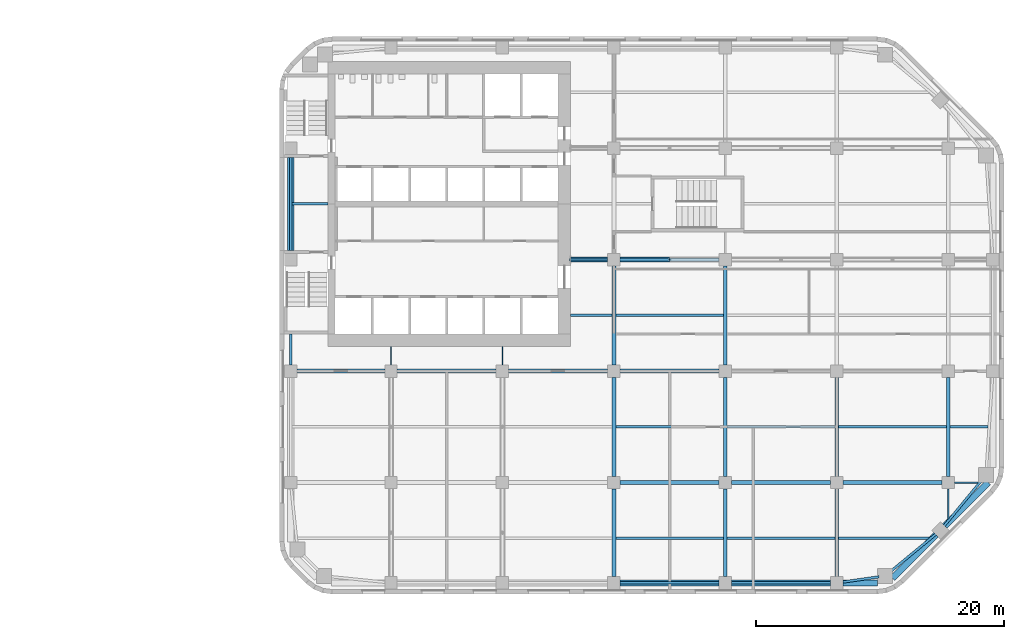
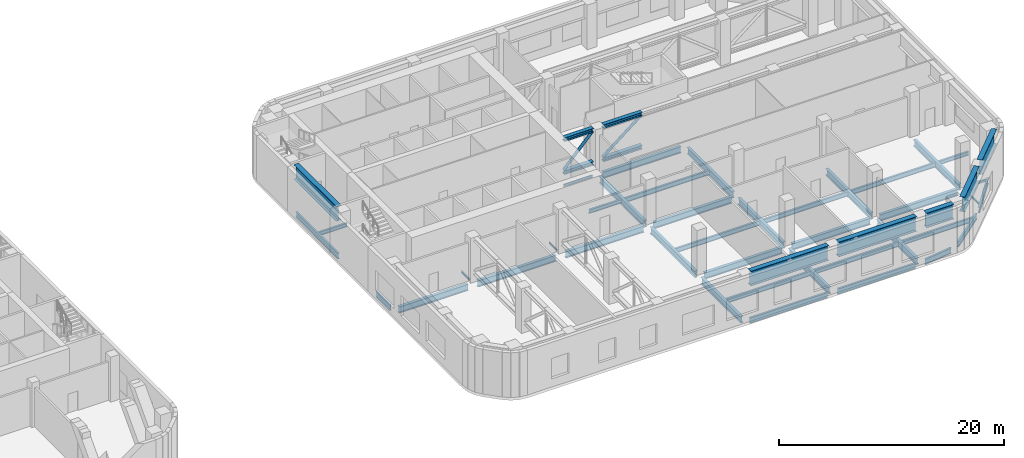
# One storey, part 4 of 23: 45 beams, 6 members.
"""IFC4 building model written with IfcOpenShell, lengths in metres."""

from ifc_helpers import new_model, si_unit, direction, frame, origin, origin_2d, place, context, subcontext, project, spatial, hollow_circle, i_section, extrude, material, material_profile, profile_set, type_object, element, save


model = new_model("IFC4")

# Units and contexts
model_context = context("Model", 3, precision=1e-05, world=origin(), true_north=direction((0.0, 1.0)))
body_context = subcontext(model_context, "Body", "Model", "MODEL_VIEW")
ifc_project = project(units=[si_unit("LENGTHUNIT", "METRE"), si_unit("AREAUNIT", "SQUARE_METRE"), si_unit("VOLUMEUNIT", "CUBIC_METRE"), si_unit("PLANEANGLEUNIT", "RADIAN"), si_unit("MASSUNIT", "GRAM", prefix="KILO")], contexts=[model_context])

# Site, building, storey
site_placement = place(None, origin())
site = spatial("IfcSite", under=ifc_project, at=site_placement, CompositionType="ELEMENT")
building_placement = place(site_placement, origin())
building = spatial("IfcBuilding", under=site, at=building_placement, Name="Cinnabar Reach Civic Tower", CompositionType="ELEMENT")
storey_placement = place(building_placement, frame((0.0, 0.0, 46.0)))
storey = spatial("IfcBuildingStorey", under=building, at=storey_placement, Name="L10", CompositionType="ELEMENT", Elevation=46.0)

# Beams
ifc_material = material(Name="Steel Q355B", Category="steel")
ifc_material_profile_1 = material_profile(ifc_material, i_section(OverallWidth=0.5, OverallDepth=1.6, WebThickness=0.025, FlangeThickness=0.04, at=origin_2d()), Name="BH1600x500x25x40")
ifc_profile_set_1 = profile_set([ifc_material_profile_1], Name="Steel Q355B")
beam_type_1 = type_object("IfcBeamType", Name="BELT BH1600x500x25x40 R 240", PredefinedType="BEAM", material=ifc_profile_set_1)
beam_1_placement = place(storey_placement, frame((0.9, 27.75, 4.05), z_axis=(0.0, 1.0, 0.0), x_axis=(-1.0, 0.0, 0.0)))
element("IfcBeam", 1, at=beam_1_placement, inside=storey, type_object=beam_type_1, Name="BELT girder T1-L10-BG", PredefinedType="BEAM", context=body_context, shape_type="SweptSolid", body=[
    extrude(i_section(OverallWidth=0.5, OverallDepth=1.6, WebThickness=0.025, FlangeThickness=0.04, at=origin_2d()), origin(), (0.0, 0.0, 1.0), 7.5),
])
for number, where, z_axis, x_axis, name in (
    (2, (57.2271, 8.9999, 4.05), (-0.707106781187, -0.707106781187, 0.0), (0.707106781187, -0.707106781187, 0.0), "BELT girder T1-L10-BG"),
    (3, (53.0086, 4.7814, 4.05), (-0.707106781187, -0.707106781187, 0.0), (0.707106781187, -0.707106781187, 0.0), "BELT girder T1-L10-BG"),
):
    element("IfcBeam", number, at=place(storey_placement, frame(where, z_axis=z_axis, x_axis=x_axis)), inside=storey, type_object=beam_type_1, Name=name, PredefinedType="BEAM", context=body_context, shape_type="SweptSolid", body=[
        extrude(i_section(OverallWidth=0.5, OverallDepth=1.6, WebThickness=0.025, FlangeThickness=0.04, at=origin_2d()), origin(), (0.0, 0.0, 1.0), 4.9618),
    ])
beam_2_placement = place(storey_placement, frame((48.2961, 0.9, 4.05), z_axis=(-1.0, 0.0, 0.0), x_axis=(0.0, -1.0, 0.0)))
element("IfcBeam", 4, at=beam_2_placement, inside=storey, type_object=beam_type_1, Name="BELT girder T1-L10-BG", PredefinedType="BEAM", context=body_context, shape_type="SweptSolid", body=[
    extrude(i_section(OverallWidth=0.5, OverallDepth=1.6, WebThickness=0.025, FlangeThickness=0.04, at=origin_2d()), origin(), (0.0, 0.0, 1.0), 2.7941),
])
for number, where, z_axis, x_axis, name in (
    (5, (44.498, 0.9, 4.05), (-1.0, 0.0, 0.0), (0.0, -1.0, 0.0), "BELT girder T1-L10-BG"),
    (6, (35.498, 0.9, 4.05), (-1.0, 0.0, 0.0), (0.0, -1.0, 0.0), "BELT girder T1-L10-BG"),
):
    element("IfcBeam", number, at=place(storey_placement, frame(where, z_axis=z_axis, x_axis=x_axis)), inside=storey, type_object=beam_type_1, Name=name, PredefinedType="BEAM", context=body_context, shape_type="SweptSolid", body=[
        extrude(i_section(OverallWidth=0.5, OverallDepth=1.6, WebThickness=0.025, FlangeThickness=0.04, at=origin_2d()), origin(), (0.0, 0.0, 1.0), 7.996),
    ])

# Members
ifc_material_profile_2 = material_profile(ifc_material, hollow_circle(Radius=0.1365, WallThickness=0.01, at=origin_2d()), Name="CHS273x10")
ifc_profile_set_2 = profile_set([ifc_material_profile_2], Name="Steel Q355B")
member_type_1 = type_object("IfcMemberType", Name="CHS273x10 brace R 240", PredefinedType="BRACE", material=ifc_profile_set_2)
member_1_placement = place(storey_placement, frame((23.502, 27.0, 1.264), z_axis=(0.686650451927, 0.0, 0.726987728142), x_axis=(0.0, 1.0, 0.0)))
element("IfcMember", 7, at=member_1_placement, inside=storey, type_object=member_type_1, Name="Outrigger truss diagonal T1-L10-TR-E27", PredefinedType="BRACE", context=body_context, shape_type="SweptSolid", body=[
    extrude(hollow_circle(Radius=0.1365, WallThickness=0.01, at=origin_2d()), origin(), (0.0, 0.0, 1.0), 4.3632),
])
member_2_placement = place(storey_placement, frame((27.502, 27.0, 1.264), z_axis=(0.783385820747, 0.0, 0.621535723714), x_axis=(0.0, 1.0, 0.0)))
element("IfcMember", 8, at=member_2_placement, inside=storey, type_object=member_type_1, Name="Outrigger truss diagonal T1-L10-TR-E27", PredefinedType="BRACE", context=body_context, shape_type="SweptSolid", body=[
    extrude(hollow_circle(Radius=0.1365, WallThickness=0.01, at=origin_2d()), origin(), (0.0, 0.0, 1.0), 5.1035),
])

# Beams
ifc_material_profile_3 = material_profile(ifc_material, i_section(OverallWidth=0.099, OverallDepth=0.198, WebThickness=0.0045, FlangeThickness=0.007, FilletRadius=0.013, at=origin_2d()), Name="HN200x100x5.5x8")
ifc_profile_set_3 = profile_set([ifc_material_profile_3], Name="Steel Q355B")
beam_type_2 = type_object("IfcBeamType", Name="HN200x100x5.5x8 beam R 180", PredefinedType="BEAM", material=ifc_profile_set_3)
for number, where, z_axis, x_axis, name in (
    (9, (9.0, 18.502, -0.399), (0.0, 1.0, 0.0), (-1.0, 0.0, 0.0), "Girder T1 L10 3"),
    (10, (18.0, 18.502, -0.399), (0.0, 1.0, 0.0), (-1.0, 0.0, 0.0), "Girder T1 L10 6"),
):
    element("IfcBeam", number, at=place(storey_placement, frame(where, z_axis=z_axis, x_axis=x_axis)), inside=storey, type_object=beam_type_2, Name=name, PredefinedType="BEAM", context=body_context, shape_type="SweptSolid", body=[
        extrude(i_section(OverallWidth=0.099, OverallDepth=0.198, WebThickness=0.0045, FlangeThickness=0.007, FilletRadius=0.013, at=origin_2d()), origin(), (0.0, 0.0, 1.0), 1.496),
    ])
beam_3_placement = place(storey_placement, frame((54.0, 6.0682, -0.399), z_axis=(0.0, 1.0, 0.0), x_axis=(-1.0, 0.0, 0.0)))
element("IfcBeam", 11, at=beam_3_placement, inside=storey, type_object=beam_type_2, Name="Girder T1 L10 23", PredefinedType="BEAM", context=body_context, shape_type="SweptSolid", body=[
    extrude(i_section(OverallWidth=0.099, OverallDepth=0.198, WebThickness=0.0045, FlangeThickness=0.007, FilletRadius=0.013, at=origin_2d()), origin(), (0.0, 0.0, 1.0), 2.4298),
])
ifc_material_profile_4 = material_profile(ifc_material, i_section(OverallWidth=0.124, OverallDepth=0.248, WebThickness=0.005, FlangeThickness=0.008, FilletRadius=0.013, at=origin_2d()), Name="HN250x125x6x9")
ifc_profile_set_4 = profile_set([ifc_material_profile_4], Name="Steel Q355B")
beam_type_3 = type_object("IfcBeamType", Name="HN250x125x6x9 beam R 180", PredefinedType="BEAM", material=ifc_profile_set_4)
beam_4_placement = place(storey_placement, frame((54.502, 9.0, -0.424), z_axis=(1.0, 0.0, 0.0), x_axis=(0.0, 1.0, 0.0)))
element("IfcBeam", 12, at=beam_4_placement, inside=storey, type_object=beam_type_3, Name="Girder T1 L10 7", PredefinedType="BEAM", context=body_context, shape_type="SweptSolid", body=[
    extrude(i_section(OverallWidth=0.124, OverallDepth=0.248, WebThickness=0.005, FlangeThickness=0.008, FilletRadius=0.013, at=origin_2d()), origin(), (0.0, 0.0, 1.0), 1.9162),
])
beam_5_placement = place(storey_placement, frame((23.502, 27.0, -0.424), z_axis=(1.0, 0.0, 0.0), x_axis=(0.0, 1.0, 0.0)))
element("IfcBeam", 13, at=beam_5_placement, inside=storey, type_object=beam_type_3, Name="Girder T1 L10 15", PredefinedType="BEAM", context=body_context, shape_type="SweptSolid", body=[
    extrude(i_section(OverallWidth=0.124, OverallDepth=0.248, WebThickness=0.005, FlangeThickness=0.008, FilletRadius=0.013, at=origin_2d()), origin(), (0.0, 0.0, 1.0), 2.996),
])
ifc_material_profile_5 = material_profile(ifc_material, i_section(OverallWidth=0.2, OverallDepth=0.4, WebThickness=0.008, FlangeThickness=0.013, FilletRadius=0.016, at=origin_2d()), Name="HN400x200x8x13")
ifc_profile_set_5 = profile_set([ifc_material_profile_5], Name="Steel Q355B")
beam_type_4 = type_object("IfcBeamType", Name="HN400x200x8x13 beam R 180", PredefinedType="BEAM", material=ifc_profile_set_5)
beam_6_placement = place(storey_placement, frame((54.152, 13.5, -0.5), z_axis=(1.0, 0.0, 0.0), x_axis=(0.0, 1.0, 0.0)))
element("IfcBeam", 14, at=beam_6_placement, inside=storey, type_object=beam_type_4, Name="Secondary beam T1 L10 13", PredefinedType="BEAM", context=body_context, shape_type="SweptSolid", body=[
    extrude(i_section(OverallWidth=0.2, OverallDepth=0.4, WebThickness=0.008, FlangeThickness=0.013, FilletRadius=0.016, at=origin_2d()), origin(), (0.0, 0.0, 1.0), 3.0494),
])
beam_7_placement = place(storey_placement, frame((23.502, 22.5, -0.5), z_axis=(1.0, 0.0, 0.0), x_axis=(0.0, 1.0, 0.0)))
element("IfcBeam", 15, at=beam_7_placement, inside=storey, type_object=beam_type_4, Name="Secondary beam T1 L10 14", PredefinedType="BEAM", context=body_context, shape_type="SweptSolid", body=[
    extrude(i_section(OverallWidth=0.2, OverallDepth=0.4, WebThickness=0.008, FlangeThickness=0.013, FilletRadius=0.016, at=origin_2d()), origin(), (0.0, 0.0, 1.0), 3.346),
])
beam_8_placement = place(storey_placement, frame((1.002, 31.5, -0.5), z_axis=(1.0, 0.0, 0.0), x_axis=(0.0, 1.0, 0.0)))
element("IfcBeam", 16, at=beam_8_placement, inside=storey, type_object=beam_type_4, Name="Secondary beam T1 L10 19", PredefinedType="BEAM", context=body_context, shape_type="SweptSolid", body=[
    extrude(i_section(OverallWidth=0.2, OverallDepth=0.4, WebThickness=0.008, FlangeThickness=0.013, FilletRadius=0.016, at=origin_2d()), origin(), (0.0, 0.0, 1.0), 2.896),
])
ifc_material_profile_6 = material_profile(ifc_material, i_section(OverallWidth=0.2, OverallDepth=0.5, WebThickness=0.01, FlangeThickness=0.016, FilletRadius=0.016, at=origin_2d()), Name="HN500x200x10x16")
ifc_profile_set_6 = profile_set([ifc_material_profile_6], Name="Steel Q355B")
beam_type_5 = type_object("IfcBeamType", Name="HN500x200x10x16 beam R 180", PredefinedType="BEAM", material=ifc_profile_set_6)
for number, where, z_axis, x_axis, name in (
    (17, (27.152, 4.5, -0.55), (1.0, 0.0, 0.0), (0.0, 1.0, 0.0), "Secondary beam T1 L10 4"),
    (18, (36.152, 4.5, -0.55), (1.0, 0.0, 0.0), (0.0, 1.0, 0.0), "Secondary beam T1 L10 5"),
):
    element("IfcBeam", number, at=place(storey_placement, frame(where, z_axis=z_axis, x_axis=x_axis)), inside=storey, type_object=beam_type_5, Name=name, PredefinedType="BEAM", context=body_context, shape_type="SweptSolid", body=[
        extrude(i_section(OverallWidth=0.2, OverallDepth=0.5, WebThickness=0.01, FlangeThickness=0.016, FilletRadius=0.016, at=origin_2d()), origin(), (0.0, 0.0, 1.0), 8.696),
    ])
beam_9_placement = place(storey_placement, frame((45.152, 4.5, -0.55), z_axis=(1.0, 0.0, 0.0), x_axis=(0.0, 1.0, 0.0)))
element("IfcBeam", 19, at=beam_9_placement, inside=storey, type_object=beam_type_5, Name="Secondary beam T1 L10 6", PredefinedType="BEAM", context=body_context, shape_type="SweptSolid", body=[
    extrude(i_section(OverallWidth=0.2, OverallDepth=0.5, WebThickness=0.01, FlangeThickness=0.016, FilletRadius=0.016, at=origin_2d()), origin(), (0.0, 0.0, 1.0), 7.2798),
])
for number, where, z_axis, x_axis, name in (
    (20, (27.152, 13.5, -0.55), (1.0, 0.0, 0.0), (0.0, 1.0, 0.0), "Secondary beam T1 L10 10"),
    (21, (36.152, 13.5, -0.55), (1.0, 0.0, 0.0), (0.0, 1.0, 0.0), "Secondary beam T1 L10 11"),
    (22, (45.152, 13.5, -0.55), (1.0, 0.0, 0.0), (0.0, 1.0, 0.0), "Secondary beam T1 L10 12"),
    (23, (27.152, 22.5, -0.55), (1.0, 0.0, 0.0), (0.0, 1.0, 0.0), "Secondary beam T1 L10 15"),
):
    element("IfcBeam", number, at=place(storey_placement, frame(where, z_axis=z_axis, x_axis=x_axis)), inside=storey, type_object=beam_type_5, Name=name, PredefinedType="BEAM", context=body_context, shape_type="SweptSolid", body=[
        extrude(i_section(OverallWidth=0.2, OverallDepth=0.5, WebThickness=0.01, FlangeThickness=0.016, FilletRadius=0.016, at=origin_2d()), origin(), (0.0, 0.0, 1.0), 8.696),
    ])
ifc_material_profile_7 = material_profile(ifc_material, i_section(OverallWidth=0.2, OverallDepth=0.6, WebThickness=0.011, FlangeThickness=0.017, FilletRadius=0.016, at=origin_2d()), Name="HN600x200x11x17")
ifc_profile_set_7 = profile_set([ifc_material_profile_7], Name="Steel Q355B")
beam_type_6 = type_object("IfcBeamType", Name="HN600x200x11x17 beam R 180", PredefinedType="BEAM", material=ifc_profile_set_7)
for number, where, z_axis, x_axis, name in (
    (24, (27.502, 0.9, -0.6), (1.0, 0.0, 0.0), (0.0, 1.0, 0.0), "Edge beam T1 L10 4"),
    (25, (36.502, 0.9, -0.6), (1.0, 0.0, 0.0), (0.0, 1.0, 0.0), "Edge beam T1 L10 5"),
):
    element("IfcBeam", number, at=place(storey_placement, frame(where, z_axis=z_axis, x_axis=x_axis)), inside=storey, type_object=beam_type_6, Name=name, PredefinedType="BEAM", context=body_context, shape_type="SweptSolid", body=[
        extrude(i_section(OverallWidth=0.2, OverallDepth=0.6, WebThickness=0.011, FlangeThickness=0.017, FilletRadius=0.016, at=origin_2d()), origin(), (0.0, 0.0, 1.0), 7.996),
    ])
beam_10_placement = place(storey_placement, frame((45.502, 0.9712, -0.6), z_axis=(0.990082238922, 0.140489003738, 0.0), x_axis=(-0.140489003738, 0.990082238922, 0.0)))
element("IfcBeam", 26, at=beam_10_placement, inside=storey, type_object=beam_type_6, Name="Edge beam T1 L10 6", PredefinedType="BEAM", context=body_context, shape_type="SweptSolid", body=[
    extrude(i_section(OverallWidth=0.2, OverallDepth=0.6, WebThickness=0.011, FlangeThickness=0.017, FilletRadius=0.016, at=origin_2d()), origin(), (0.0, 0.0, 1.0), 2.9433),
])
for number, where, z_axis, x_axis, name in (
    (27, (49.3801, 1.8507, -0.6), (0.77143827905, 0.6363041581, 0.0), (-0.6363041581, 0.77143827905, 0.0), "Edge beam T1 L10 7"),
    (28, (53.6461, 5.4789, -0.6), (0.6363041581, 0.77143827905, 0.0), (-0.77143827905, 0.6363041581, 0.0), "Edge beam T1 L10 8"),
):
    element("IfcBeam", number, at=place(storey_placement, frame(where, z_axis=z_axis, x_axis=x_axis)), inside=storey, type_object=beam_type_6, Name=name, PredefinedType="BEAM", context=body_context, shape_type="SweptSolid", body=[
        extrude(i_section(OverallWidth=0.2, OverallDepth=0.6, WebThickness=0.011, FlangeThickness=0.017, FilletRadius=0.016, at=origin_2d()), origin(), (0.0, 0.0, 1.0), 4.7198),
    ])
beam_11_placement = place(storey_placement, frame((0.9, 35.248, -0.6), z_axis=(0.0, -1.0, 0.0), x_axis=(1.0, 0.0, 0.0)))
element("IfcBeam", 29, at=beam_11_placement, inside=storey, type_object=beam_type_6, Name="Edge beam T1 L10 20", PredefinedType="BEAM", context=body_context, shape_type="SweptSolid", body=[
    extrude(i_section(OverallWidth=0.2, OverallDepth=0.6, WebThickness=0.011, FlangeThickness=0.017, FilletRadius=0.016, at=origin_2d()), origin(), (0.0, 0.0, 1.0), 7.496),
])
beam_12_placement = place(storey_placement, frame((0.9, 20.998, -0.6), z_axis=(0.0, -1.0, 0.0), x_axis=(1.0, 0.0, 0.0)))
element("IfcBeam", 30, at=beam_12_placement, inside=storey, type_object=beam_type_6, Name="Edge beam T1 L10 21", PredefinedType="BEAM", context=body_context, shape_type="SweptSolid", body=[
    extrude(i_section(OverallWidth=0.2, OverallDepth=0.6, WebThickness=0.011, FlangeThickness=0.017, FilletRadius=0.016, at=origin_2d()), origin(), (0.0, 0.0, 1.0), 2.496),
])
ifc_material_profile_8 = material_profile(ifc_material, i_section(OverallWidth=0.3, OverallDepth=0.692, WebThickness=0.013, FlangeThickness=0.02, FilletRadius=0.016, at=origin_2d()), Name="HN692x300x13x20")
ifc_profile_set_8 = profile_set([ifc_material_profile_8], Name="Steel Q355B")
beam_type_7 = type_object("IfcBeamType", Name="HN692x300x13x20 beam R 180", PredefinedType="BEAM", material=ifc_profile_set_8)
beam_13_placement = place(storey_placement, frame((27.0, 1.402, -0.646), z_axis=(0.0, 1.0, 0.0), x_axis=(-1.0, 0.0, 0.0)))
element("IfcBeam", 31, at=beam_13_placement, inside=storey, type_object=beam_type_7, Name="Girder T1 L10 7", PredefinedType="BEAM", context=body_context, shape_type="SweptSolid", body=[
    extrude(i_section(OverallWidth=0.3, OverallDepth=0.692, WebThickness=0.013, FlangeThickness=0.02, FilletRadius=0.016, at=origin_2d()), origin(), (0.0, 0.0, 1.0), 7.096),
])
for number, where, z_axis, x_axis, name in (
    (32, (27.0, 9.502, -0.646), (0.0, 1.0, 0.0), (-1.0, 0.0, 0.0), "Girder T1 L10 8"),
    (33, (27.0, 18.502, -0.646), (0.0, 1.0, 0.0), (-1.0, 0.0, 0.0), "Girder T1 L10 9"),
):
    element("IfcBeam", number, at=place(storey_placement, frame(where, z_axis=z_axis, x_axis=x_axis)), inside=storey, type_object=beam_type_7, Name=name, PredefinedType="BEAM", context=body_context, shape_type="SweptSolid", body=[
        extrude(i_section(OverallWidth=0.3, OverallDepth=0.692, WebThickness=0.013, FlangeThickness=0.02, FilletRadius=0.016, at=origin_2d()), origin(), (0.0, 0.0, 1.0), 7.996),
    ])
beam_14_placement = place(storey_placement, frame((36.0, 1.402, -0.646), z_axis=(0.0, 1.0, 0.0), x_axis=(-1.0, 0.0, 0.0)))
element("IfcBeam", 34, at=beam_14_placement, inside=storey, type_object=beam_type_7, Name="Girder T1 L10 12", PredefinedType="BEAM", context=body_context, shape_type="SweptSolid", body=[
    extrude(i_section(OverallWidth=0.3, OverallDepth=0.692, WebThickness=0.013, FlangeThickness=0.02, FilletRadius=0.016, at=origin_2d()), origin(), (0.0, 0.0, 1.0), 7.096),
])
for number, where, z_axis, x_axis, name in (
    (35, (36.0, 9.502, -0.646), (0.0, 1.0, 0.0), (-1.0, 0.0, 0.0), "Girder T1 L10 13"),
    (36, (36.0, 18.502, -0.646), (0.0, 1.0, 0.0), (-1.0, 0.0, 0.0), "Girder T1 L10 14"),
):
    element("IfcBeam", number, at=place(storey_placement, frame(where, z_axis=z_axis, x_axis=x_axis)), inside=storey, type_object=beam_type_7, Name=name, PredefinedType="BEAM", context=body_context, shape_type="SweptSolid", body=[
        extrude(i_section(OverallWidth=0.3, OverallDepth=0.692, WebThickness=0.013, FlangeThickness=0.02, FilletRadius=0.016, at=origin_2d()), origin(), (0.0, 0.0, 1.0), 7.996),
    ])
beam_15_placement = place(storey_placement, frame((45.0, 1.402, -0.646), z_axis=(0.0, 1.0, 0.0), x_axis=(-1.0, 0.0, 0.0)))
element("IfcBeam", 37, at=beam_15_placement, inside=storey, type_object=beam_type_7, Name="Girder T1 L10 18", PredefinedType="BEAM", context=body_context, shape_type="SweptSolid", body=[
    extrude(i_section(OverallWidth=0.3, OverallDepth=0.692, WebThickness=0.013, FlangeThickness=0.02, FilletRadius=0.016, at=origin_2d()), origin(), (0.0, 0.0, 1.0), 7.096),
])
for number, where, z_axis, x_axis, name in (
    (38, (45.0, 9.502, -0.646), (0.0, 1.0, 0.0), (-1.0, 0.0, 0.0), "Girder T1 L10 19"),
    (39, (54.0, 9.502, -0.646), (0.0, 1.0, 0.0), (-1.0, 0.0, 0.0), "Girder T1 L10 24"),
):
    element("IfcBeam", number, at=place(storey_placement, frame(where, z_axis=z_axis, x_axis=x_axis)), inside=storey, type_object=beam_type_7, Name=name, PredefinedType="BEAM", context=body_context, shape_type="SweptSolid", body=[
        extrude(i_section(OverallWidth=0.3, OverallDepth=0.692, WebThickness=0.013, FlangeThickness=0.02, FilletRadius=0.016, at=origin_2d()), origin(), (0.0, 0.0, 1.0), 7.996),
    ])
ifc_material_profile_9 = material_profile(ifc_material, i_section(OverallWidth=0.3, OverallDepth=0.7, WebThickness=0.013, FlangeThickness=0.024, FilletRadius=0.02, at=origin_2d()), Name="HN700x300x13x24")
ifc_profile_set_9 = profile_set([ifc_material_profile_9], Name="Steel Q355B")
beam_type_8 = type_object("IfcBeamType", Name="HN700x300x13x24 beam R 180", PredefinedType="BEAM", material=ifc_profile_set_9)
for number, where, z_axis, x_axis, name in (
    (40, (27.502, 9.0, -0.65), (1.0, 0.0, 0.0), (0.0, 1.0, 0.0), "Girder T1 L10 4"),
    (41, (36.502, 9.0, -0.65), (1.0, 0.0, 0.0), (0.0, 1.0, 0.0), "Girder T1 L10 5"),
    (42, (45.502, 9.0, -0.65), (1.0, 0.0, 0.0), (0.0, 1.0, 0.0), "Girder T1 L10 6"),
):
    element("IfcBeam", number, at=place(storey_placement, frame(where, z_axis=z_axis, x_axis=x_axis)), inside=storey, type_object=beam_type_8, Name=name, PredefinedType="BEAM", context=body_context, shape_type="SweptSolid", body=[
        extrude(i_section(OverallWidth=0.3, OverallDepth=0.7, WebThickness=0.013, FlangeThickness=0.024, FilletRadius=0.02, at=origin_2d()), origin(), (0.0, 0.0, 1.0), 7.996),
    ])
beam_16_placement = place(storey_placement, frame((1.402, 18.0, -0.65), z_axis=(1.0, 0.0, 0.0), x_axis=(0.0, 1.0, 0.0)))
element("IfcBeam", 43, at=beam_16_placement, inside=storey, type_object=beam_type_8, Name="Girder T1 L10 8", PredefinedType="BEAM", context=body_context, shape_type="SweptSolid", body=[
    extrude(i_section(OverallWidth=0.3, OverallDepth=0.7, WebThickness=0.013, FlangeThickness=0.024, FilletRadius=0.02, at=origin_2d()), origin(), (0.0, 0.0, 1.0), 7.096),
])
for number, where, z_axis, x_axis, name in (
    (44, (9.502, 18.0, -0.65), (1.0, 0.0, 0.0), (0.0, 1.0, 0.0), "Girder T1 L10 9"),
    (45, (18.502, 18.0, -0.65), (1.0, 0.0, 0.0), (0.0, 1.0, 0.0), "Girder T1 L10 10"),
    (46, (27.502, 18.0, -0.65), (1.0, 0.0, 0.0), (0.0, 1.0, 0.0), "Girder T1 L10 11"),
    (47, (27.502, 27.0, -0.65), (1.0, 0.0, 0.0), (0.0, 1.0, 0.0), "Girder T1 L10 16"),
):
    element("IfcBeam", number, at=place(storey_placement, frame(where, z_axis=z_axis, x_axis=x_axis)), inside=storey, type_object=beam_type_8, Name=name, PredefinedType="BEAM", context=body_context, shape_type="SweptSolid", body=[
        extrude(i_section(OverallWidth=0.3, OverallDepth=0.7, WebThickness=0.013, FlangeThickness=0.024, FilletRadius=0.02, at=origin_2d()), origin(), (0.0, 0.0, 1.0), 7.996),
    ])

# Members
ifc_material_profile_10 = material_profile(ifc_material, i_section(OverallWidth=0.405, OverallDepth=0.414, WebThickness=0.018, FlangeThickness=0.028, FilletRadius=0.016, at=origin_2d()), Name="HW414x405x18x28")
ifc_profile_set_10 = profile_set([ifc_material_profile_10], Name="Steel Q355B")
member_type_2 = type_object("IfcMemberType", Name="HW414x405x18x28 chord R 240", PredefinedType="CHORD", material=ifc_profile_set_10)
for number, where, z_axis, x_axis, name in (
    (48, (23.502, 27.0, 4.643), (1.0, 0.0, 0.0), (0.0, 1.0, 0.0), "Outrigger truss chord T1-L10-TR-E27"),
    (49, (23.502, 27.0, 1.057), (1.0, 0.0, 0.0), (0.0, 1.0, 0.0), "Outrigger truss chord T1-L10-TR-E27"),
):
    element("IfcMember", number, at=place(storey_placement, frame(where, z_axis=z_axis, x_axis=x_axis)), inside=storey, type_object=member_type_2, Name=name, PredefinedType="CHORD", context=body_context, shape_type="SweptSolid", body=[
        extrude(i_section(OverallWidth=0.405, OverallDepth=0.414, WebThickness=0.018, FlangeThickness=0.028, FilletRadius=0.016, at=origin_2d()), origin(), (0.0, 0.0, 1.0), 2.996),
    ])
for number, where, z_axis, x_axis, name in (
    (50, (27.502, 27.0, 4.643), (1.0, 0.0, 0.0), (0.0, 1.0, 0.0), "Outrigger truss chord T1-L10-TR-E27"),
    (51, (27.502, 27.0, 1.057), (1.0, 0.0, 0.0), (0.0, 1.0, 0.0), "Outrigger truss chord T1-L10-TR-E27"),
):
    element("IfcMember", number, at=place(storey_placement, frame(where, z_axis=z_axis, x_axis=x_axis)), inside=storey, type_object=member_type_2, Name=name, PredefinedType="CHORD", context=body_context, shape_type="SweptSolid", body=[
        extrude(i_section(OverallWidth=0.405, OverallDepth=0.414, WebThickness=0.018, FlangeThickness=0.028, FilletRadius=0.016, at=origin_2d()), origin(), (0.0, 0.0, 1.0), 3.998),
    ])

save(model, "model.ifc")
